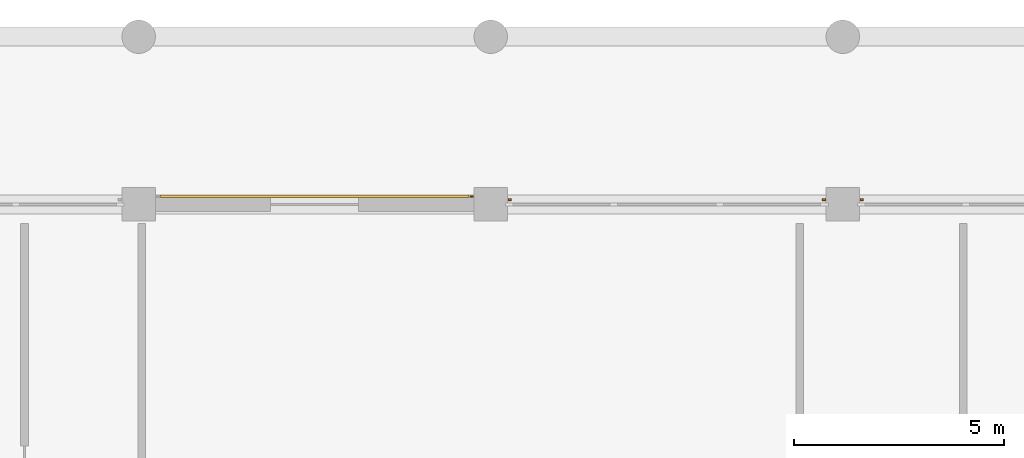
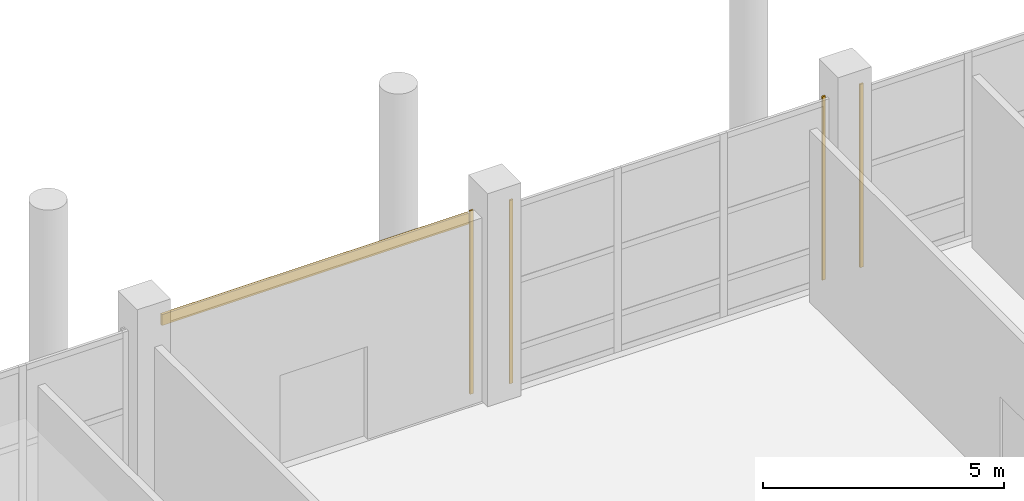
# One storey, part 132 of 140: 5 coverings.
"""IFC4 building model written with IfcOpenShell, lengths in metres."""

from ifc_helpers import new_model, si_unit, direction, frame, origin, origin_2d, place, context, subcontext, project, spatial, rectangle, extrude, material, layer, layer_set, type_object, element, save


model = new_model("IFC4")

# Units and contexts
model_context = context("Model", 3, precision=1e-05, world=origin(), true_north=direction((0.0, 1.0)))
body_context = subcontext(model_context, "Body", "Model", "MODEL_VIEW")
ifc_project = project(units=[si_unit("LENGTHUNIT", "METRE"), si_unit("AREAUNIT", "SQUARE_METRE"), si_unit("VOLUMEUNIT", "CUBIC_METRE"), si_unit("PLANEANGLEUNIT", "RADIAN"), si_unit("MASSUNIT", "GRAM", prefix="KILO")], contexts=[model_context])

# Site, building, storey
site_placement = place(None, origin())
site = spatial("IfcSite", under=ifc_project, at=site_placement, CompositionType="ELEMENT")
building_placement = place(site_placement, origin())
building = spatial("IfcBuilding", under=site, at=building_placement, Name="Telukmera Botanical Conservatory", CompositionType="ELEMENT")
storey_placement = place(building_placement, origin())
storey = spatial("IfcBuildingStorey", under=building, at=storey_placement, Name="L00", CompositionType="ELEMENT", Elevation=0.0)

# Coverings
ifc_material_1 = material(Name="Granite-faced precast concrete C40/50", Category="masonry")
ifc_layer_1 = layer(ifc_material_1, 0.0400390625)
ifc_layer_set_1 = layer_set([ifc_layer_1], Name="Granite-faced precast concrete C40/50")
covering_type_1 = type_object("IfcCoveringType", Name="Granite Precast Column Pier Reveal Casing", PredefinedType="CLADDING", material=ifc_layer_set_1)
for number, where, z_axis, x_axis, name in (
    (1, (24.748046875, 116.989990234375, 0.0), (0.0, 0.0, 1.0), (1.0, 0.0, 0.0), "Granite Pier Reveal V2:L00:N2 R"),
    (2, (25.652099609375, 116.909912109375, 0.0), (0.0, 0.0, 1.0), (1.0, 0.0, 0.0), "Granite Pier Reveal V2:L00:N3 L"),
    (3, (33.14794921875, 116.909912109375, 0.0), (0.0, 0.0, 1.0), (1.0, 0.0, 0.0), "Granite Pier Reveal V2:L00:N3 R"),
    (4, (34.052001953125, 116.909912109375, 0.0), (0.0, 0.0, 1.0), (1.0, 0.0, 0.0), "Granite Pier Reveal V2:L00:N4 L"),
):
    element("IfcCovering", number, at=place(storey_placement, frame(where, z_axis=z_axis, x_axis=x_axis)), inside=storey, type_object=covering_type_1, Name=name, PredefinedType="CLADDING", context=body_context, shape_type="SweptSolid", body=[
        extrude(rectangle(XDim=0.080078125, YDim=0.0400390625, at=origin_2d()), origin(), (0.0, 0.0, 1.0), 4.64990234375),
    ])
ifc_material_2 = material(Name="Terracotta-faced precast concrete C40/50", Category="masonry")
ifc_layer_2 = layer(ifc_material_2, 0.06005859375)
ifc_layer_set_2 = layer_set([ifc_layer_2], Name="Terracotta-faced precast concrete C40/50")
covering_type_2 = type_object("IfcCoveringType", Name="Polychrome Terracotta Facade Band Cladding", PredefinedType="CLADDING", material=ifc_layer_set_2)
covering_placement = place(storey_placement, frame((21.0, 117.0, 4.330078125), z_axis=(0.0, 0.0, 1.0), x_axis=(1.0, 0.0, 0.0)))
element("IfcCovering", 5, at=covering_placement, inside=storey, type_object=covering_type_2, Name="Polychrome Terracotta Band V2:L00:N2", PredefinedType="CLADDING", context=body_context, shape_type="SweptSolid", body=[
    extrude(rectangle(XDim=7.35595703125, YDim=0.06005859375, at=origin_2d()), origin(), (0.0, 0.0, 1.0), 0.280029296875),
])

save(model, "model.ifc")
